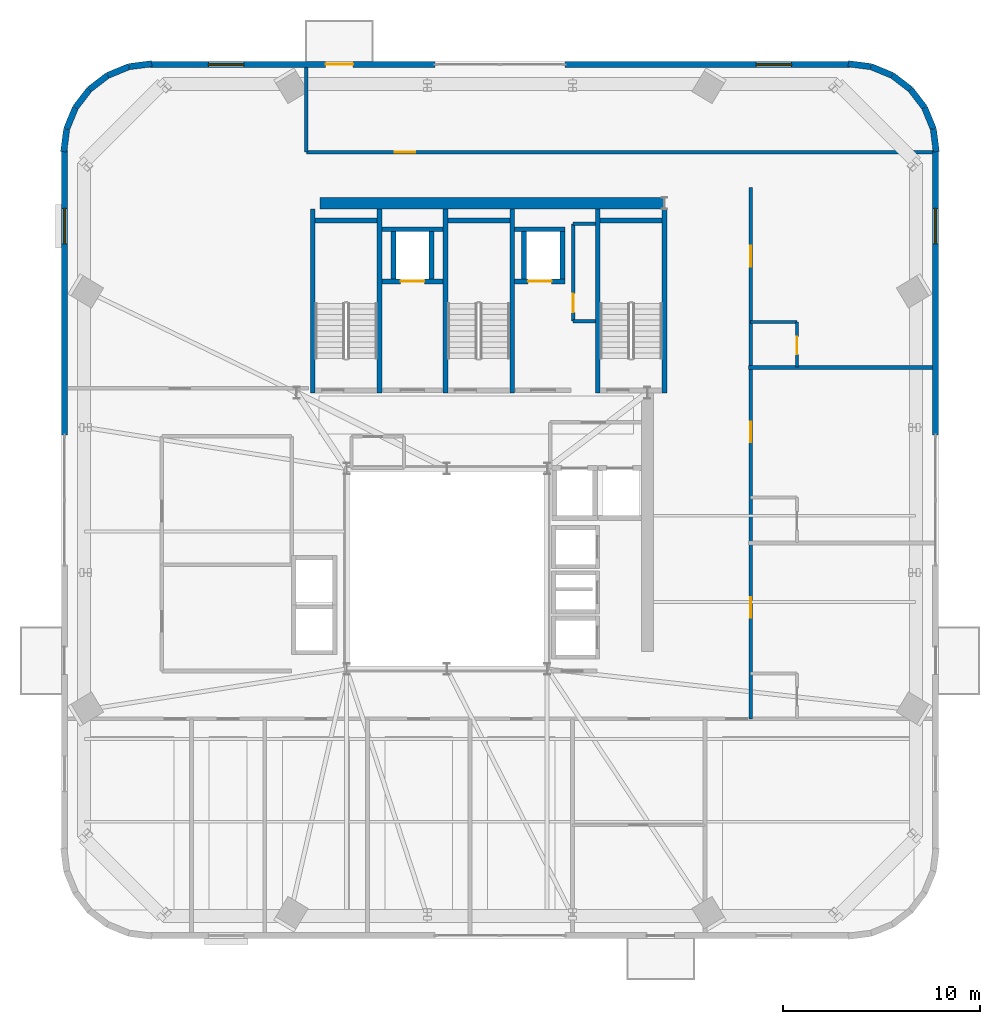
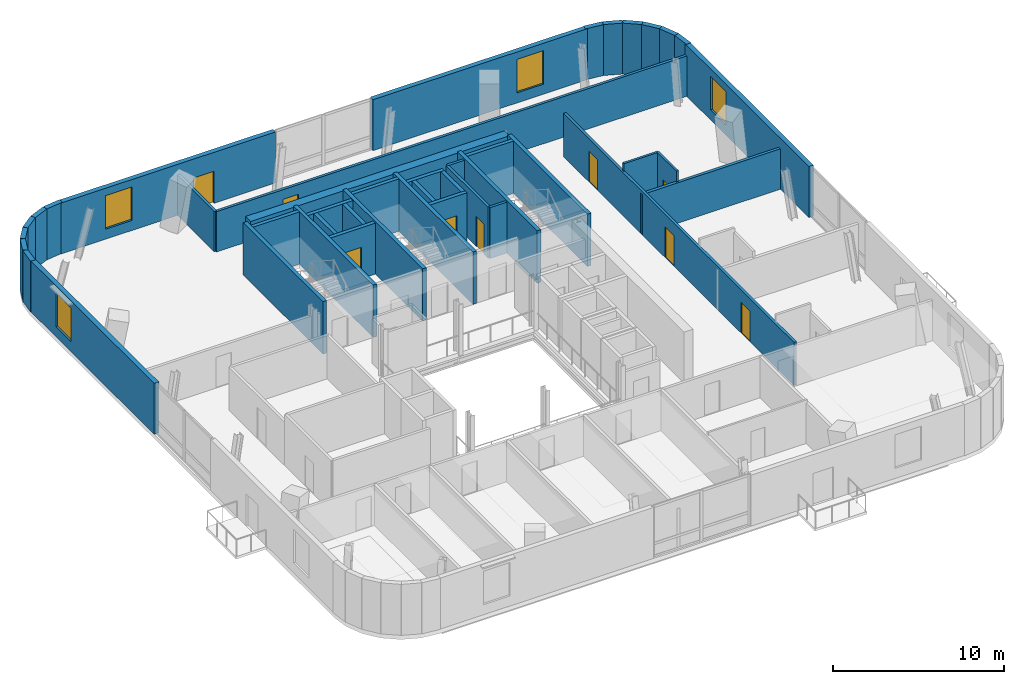
# One storey, part 10 of 15: 43 walls, 9 doors, 4 windows, 13 openings.
"""IFC4 building model written with IfcOpenShell, lengths in metres."""

from ifc_helpers import new_model, si_unit, direction, frame, frame_2d, origin, place, context, subcontext, project, spatial, rectangle, extrude, source, transform, mapped, material, layer, layer_set, type_object, element, fill, save


model = new_model("IFC4")

# Units and contexts
model_context = context("Model", 3, precision=1e-05, world=origin(), true_north=direction((0.0, 1.0)))
body_context = subcontext(model_context, "Body", "Model", "MODEL_VIEW")
ifc_project = project(units=[si_unit("LENGTHUNIT", "METRE"), si_unit("AREAUNIT", "SQUARE_METRE"), si_unit("VOLUMEUNIT", "CUBIC_METRE"), si_unit("PLANEANGLEUNIT", "RADIAN"), si_unit("MASSUNIT", "GRAM", prefix="KILO")], contexts=[model_context])

# Site, building, storey
site_placement = place(None, origin())
site = spatial("IfcSite", under=ifc_project, at=site_placement, CompositionType="ELEMENT")
building_placement = place(site_placement, origin())
building = spatial("IfcBuilding", under=site, at=building_placement, Name="Vardaveli Station Tower", CompositionType="ELEMENT")
storey_placement = place(building_placement, frame((0.0, 0.0, 262.449951171875)))
storey = spatial("IfcBuildingStorey", under=building, at=storey_placement, Name="L67", CompositionType="ELEMENT", Elevation=262.449951171875)

# Wall
ifc_material_1 = material(Name="Concrete C50/60", Category="concrete")
ifc_layer_1 = layer(ifc_material_1, 0.60009765625, Name="Concrete C50/60")
ifc_layer_set_1 = layer_set([ifc_layer_1], Name="Concrete C50/60")
wall_type_1 = type_object("IfcWallType", Name="WAL-CORE-600", PredefinedType="SHEAR", material=ifc_layer_set_1)
shared_shape_1 = source(origin(), body_context, "Body", "SweptSolid", [
    extrude(rectangle(XDim=17.52001953125, YDim=0.60009765625, at=frame_2d((8.760009765625, 0.0))), origin(), (0.0, 0.0, 1.0), 3.650146484375),
])
wall_1_placement = place(storey_placement, frame((29.85009765625, 40.300048828125, 0.0), z_axis=(0.0, 0.0, 1.0), x_axis=(1.0, 0.0, 0.0)))
element("IfcWall", 1, at=wall_1_placement, inside=storey, type_object=wall_type_1, Name="SW-L67-NORTH", PredefinedType="SHEAR", context=body_context, shape_type="MappedRepresentation", body=[
    mapped(shared_shape_1, transform((0.0, 0.0, 0.0), scale=1.0)),
])

# Wall, opening, window
ifc_material_2 = material(Name="Precast concrete C45/55", Category="concrete")
ifc_layer_2 = layer(ifc_material_2, 0.320068359375, Name="Precast concrete C45/55")
ifc_layer_set_2 = layer_set([ifc_layer_2], Name="Precast concrete C45/55")
wall_type_2 = type_object("IfcWallType", Name="WAL-EXT-STONE-320", PredefinedType="SOLIDWALL", material=ifc_layer_set_2)
shared_shape_2 = source(origin(), body_context, "Body", "SweptSolid", [
    extrude(rectangle(XDim=14.52001953125, YDim=0.320068359375, at=frame_2d((7.260009765625, 0.0))), origin(), (0.0, 0.0, 1.0), 3.650146484375),
])
wall_2_placement = place(storey_placement, frame((56.820068359375, 47.360107421875, 0.0), z_axis=(0.0, 0.0, 1.0), x_axis=(-1.0, 0.0, 0.0)))
wall_2 = element("IfcWall", 2, at=wall_2_placement, inside=storey, type_object=wall_type_2, Name="EW-L67-N1", PredefinedType="SOLIDWALL", context=body_context, shape_type="MappedRepresentation", body=[
    mapped(shared_shape_2, transform((0.0, 0.0, 0.0), scale=1.0)),
])
shared_shape_3 = source(origin(), body_context, "Body", "SweptSolid", [
    extrude(rectangle(XDim=1.800048828125, YDim=2.39990234375, at=frame_2d((0.89990234375, 1.199951171875))), frame((0.0, 0.169921875, 0.0), z_axis=(0.0, -1.0, 0.0), x_axis=(1.0, 0.0, 0.0)), (0.0, 0.0, 1.0), 0.340087890625),
])
opening_1_placement = place(wall_2_placement, frame((2.989013671875, 0.0, 0.719970703125)))
opening_1 = element("IfcOpeningElement", 3, at=opening_1_placement, cuts=wall_2, Name="Opening W-05", PredefinedType="OPENING", context=body_context, shape_type="MappedRepresentation", body=[
    mapped(shared_shape_3, transform((0.0, 0.0, 0.0), scale=1.0)),
])
ifc_material_3 = material(Name="Low-E solar-control glass", Category="glass")
window_type = type_object("IfcWindowType", Name="WIN-HIGH-1800x2400", PartitioningType="SINGLE_PANEL", PredefinedType="WINDOW", material=ifc_material_3)
shared_shape_4 = source(origin(), body_context, "Body", "SweptSolid", [
    extrude(rectangle(XDim=1.800048828125, YDim=2.39990234375, at=frame_2d((0.89990234375, 1.199951171875))), frame((0.0, 0.030029296875, 0.0), z_axis=(0.0, -1.0, 0.0), x_axis=(1.0, 0.0, 0.0)), (0.0, 0.0, 1.0), 0.06005859375),
])
window_1_placement = place(opening_1_placement, origin())
window_1 = element("IfcWindow", 4, at=window_1_placement, inside=storey, type_object=window_type, Name="WN-L67-N1", OverallHeight=2.39990234375, OverallWidth=1.800048828125, PartitioningType="SINGLE_PANEL", PredefinedType="WINDOW", context=body_context, shape_type="MappedRepresentation", body=[
    mapped(shared_shape_4, transform((0.0, 0.0, 0.0), scale=1.0)),
])
fill(opening_1, window_1)

# Wall, openings, door, window
wall_3_placement = place(storey_placement, frame((35.699951171875, 47.360107421875, 0.0), z_axis=(0.0, 0.0, 1.0), x_axis=(-1.0, 0.0, 0.0)))
wall_3 = element("IfcWall", 5, at=wall_3_placement, inside=storey, type_object=wall_type_2, Name="EW-L67-N2", PredefinedType="SOLIDWALL", context=body_context, shape_type="MappedRepresentation", body=[
    mapped(shared_shape_2, transform((0.0, 0.0, 0.0), scale=1.0)),
])
shared_shape_5 = source(origin(), body_context, "Body", "SweptSolid", [
    extrude(rectangle(XDim=1.39990234375, YDim=2.300048828125, at=frame_2d((0.699951171875, 1.14990234375))), frame((0.0, 0.169921875, 0.0), z_axis=(0.0, -1.0, 0.0), x_axis=(1.0, 0.0, 0.0)), (0.0, 0.0, 1.0), 0.340087890625),
])
opening_2_placement = place(wall_3_placement, frame((4.1748046875, 0.0, 0.0)))
opening_2 = element("IfcOpeningElement", 6, at=opening_2_placement, cuts=wall_3, Name="Opening D-09", PredefinedType="OPENING", context=body_context, shape_type="MappedRepresentation", body=[
    mapped(shared_shape_5, transform((0.0, 0.0, 0.0), scale=1.0)),
])
opening_3_placement = place(wall_3_placement, frame((9.73095703125, 0.0, 0.719970703125)))
opening_3 = element("IfcOpeningElement", 7, at=opening_3_placement, cuts=wall_3, Name="Opening W-05", PredefinedType="OPENING", context=body_context, shape_type="MappedRepresentation", body=[
    mapped(shared_shape_3, transform((0.0, 0.0, 0.0), scale=1.0)),
])
ifc_material_4 = material(Name="Thermally broken aluminium glass", Category="aluminium")
door_type_1 = type_object("IfcDoorType", Name="DR-LOG-1400x2300", OperationType="DOUBLE_DOOR_SLIDING", PredefinedType="DOOR", material=ifc_material_4)
shared_shape_6 = source(origin(), body_context, "Body", "SweptSolid", [
    extrude(rectangle(XDim=1.39990234375, YDim=2.300048828125, at=frame_2d((0.699951171875, 1.14990234375))), frame((0.0, 0.02490234375, 0.0), z_axis=(0.0, -1.0, 0.0), x_axis=(1.0, 0.0, 0.0)), (0.0, 0.0, 1.0), 0.050048828125),
])
door_1_placement = place(opening_2_placement, frame((1.39990234375, 0.0, 0.0), z_axis=(0.0, 0.0, 1.0), x_axis=(-1.0, 0.0, 0.0)))
door_1 = element("IfcDoor", 8, at=door_1_placement, inside=storey, type_object=door_type_1, Name="DLG-L67-N", OperationType="DOUBLE_DOOR_SLIDING", OverallHeight=2.300048828125, OverallWidth=1.39990234375, PredefinedType="DOOR", context=body_context, shape_type="MappedRepresentation", body=[
    mapped(shared_shape_6, transform((0.0, 0.0, 0.0), scale=1.0)),
])
fill(opening_2, door_1)
window_2_placement = place(opening_3_placement, origin())
window_2 = element("IfcWindow", 9, at=window_2_placement, inside=storey, type_object=window_type, Name="WN-L67-N2", OverallHeight=2.39990234375, OverallWidth=1.800048828125, PartitioningType="SINGLE_PANEL", PredefinedType="WINDOW", context=body_context, shape_type="MappedRepresentation", body=[
    mapped(shared_shape_4, transform((0.0, 0.0, 0.0), scale=1.0)),
])
fill(opening_3, window_2)

# Wall, opening, window
wall_4_placement = place(storey_placement, frame((16.840087890625, 43.02001953125, 0.0), z_axis=(0.0, 0.0, 1.0), x_axis=(0.0, -1.0, 0.0)))
wall_4 = element("IfcWall", 10, at=wall_4_placement, inside=storey, type_object=wall_type_2, Name="EW-L67-W1", PredefinedType="SOLIDWALL", context=body_context, shape_type="MappedRepresentation", body=[
    mapped(shared_shape_2, transform((0.0, 0.0, 0.0), scale=1.0)),
])
opening_4_placement = place(wall_4_placement, frame((2.989013671875, 0.0, 0.719970703125)))
opening_4 = element("IfcOpeningElement", 11, at=opening_4_placement, cuts=wall_4, Name="Opening W-05", PredefinedType="OPENING", context=body_context, shape_type="MappedRepresentation", body=[
    mapped(shared_shape_3, transform((0.0, 0.0, 0.0), scale=1.0)),
])
window_3_placement = place(opening_4_placement, origin())
window_3 = element("IfcWindow", 12, at=window_3_placement, inside=storey, type_object=window_type, Name="WN-L67-W1", OverallHeight=2.39990234375, OverallWidth=1.800048828125, PartitioningType="SINGLE_PANEL", PredefinedType="WINDOW", context=body_context, shape_type="MappedRepresentation", body=[
    mapped(shared_shape_4, transform((0.0, 0.0, 0.0), scale=1.0)),
])
fill(opening_4, window_3)

wall_5_placement = place(storey_placement, frame((61.159912109375, 28.5, 0.0), z_axis=(0.0, 0.0, 1.0), x_axis=(0.0, 1.0, 0.0)))
wall_5 = element("IfcWall", 13, at=wall_5_placement, inside=storey, type_object=wall_type_2, Name="EW-L67-E2", PredefinedType="SOLIDWALL", context=body_context, shape_type="MappedRepresentation", body=[
    mapped(shared_shape_2, transform((0.0, 0.0, 0.0), scale=1.0)),
])
opening_5_placement = place(wall_5_placement, frame((9.73095703125, 0.0, 0.719970703125)))
opening_5 = element("IfcOpeningElement", 14, at=opening_5_placement, cuts=wall_5, Name="Opening W-05", PredefinedType="OPENING", context=body_context, shape_type="MappedRepresentation", body=[
    mapped(shared_shape_3, transform((0.0, 0.0, 0.0), scale=1.0)),
])
window_4_placement = place(opening_5_placement, origin())
window_4 = element("IfcWindow", 15, at=window_4_placement, inside=storey, type_object=window_type, Name="WN-L67-E2", OverallHeight=2.39990234375, OverallWidth=1.800048828125, PartitioningType="SINGLE_PANEL", PredefinedType="WINDOW", context=body_context, shape_type="MappedRepresentation", body=[
    mapped(shared_shape_4, transform((0.0, 0.0, 0.0), scale=1.0)),
])
fill(opening_5, window_4)

# Walls
shared_shape_7 = source(origin(), body_context, "Body", "SweptSolid", [
    extrude(rectangle(XDim=1.169921875, YDim=0.320068359375, at=frame_2d((0.5849609375, 0.0))), origin(), (0.0, 0.0, 1.0), 3.650146484375),
])
for number, where, z_axis, x_axis, name in (
    (16, (61.195068359375, 42.920166015625, 0.0), (0.0, 0.0, 1.0), (-0.128116992181, 0.991759061625, 0.0), "EW-L67-CR3-1"),
    (17, (57.880615234375, 47.2451171875, 0.0), (0.0, 0.0, 1.0), (-0.991759061625, 0.128116992181, 0.0), "EW-L67-CR3-6"),
    (18, (21.27978515625, 47.39501953125, 0.0), (0.0, 0.0, 1.0), (-0.991759061625, -0.128116992181, 0.0), "EW-L67-CR4-1"),
    (19, (16.954833984375, 44.08056640625, 0.0), (0.0, 0.0, 1.0), (-0.128116992181, -0.991759061625, 0.0), "EW-L67-CR4-6"),
):
    element("IfcWall", number, at=place(storey_placement, frame(where, z_axis=z_axis, x_axis=x_axis)), inside=storey, type_object=wall_type_2, Name=name, PredefinedType="SOLIDWALL", context=body_context, shape_type="MappedRepresentation", body=[
        mapped(shared_shape_7, transform((0.0, 0.0, 0.0), scale=1.0)),
    ])
shared_shape_8 = source(origin(), body_context, "Body", "SweptSolid", [
    extrude(rectangle(XDim=1.1689453125, YDim=0.320068359375, at=frame_2d((0.58447265625, 0.0))), origin(), (0.0, 0.0, 1.0), 3.650146484375),
])
for number, where, z_axis, x_axis, name in (
    (20, (61.045166015625, 44.08056640625, 0.0), (0.0, 0.0, 1.0), (-0.381127904695, 0.924522320046, 0.0), "EW-L67-CR3-2"),
    (21, (58.96142578125, 46.799560546875, 0.0), (0.0, 0.0, 1.0), (-0.924522320046, 0.381127904695, 0.0), "EW-L67-CR3-5"),
    (22, (20.119384765625, 47.2451171875, 0.0), (0.0, 0.0, 1.0), (-0.924522320046, -0.381127904695, 0.0), "EW-L67-CR4-2"),
    (23, (17.400390625, 45.161376953125, 0.0), (0.0, 0.0, 1.0), (-0.381127904695, -0.924522320046, 0.0), "EW-L67-CR4-5"),
):
    element("IfcWall", number, at=place(storey_placement, frame(where, z_axis=z_axis, x_axis=x_axis)), inside=storey, type_object=wall_type_2, Name=name, PredefinedType="SOLIDWALL", context=body_context, shape_type="MappedRepresentation", body=[
        mapped(shared_shape_8, transform((0.0, 0.0, 0.0), scale=1.0)),
    ])
shared_shape_9 = source(origin(), body_context, "Body", "SweptSolid", [
    extrude(rectangle(XDim=1.16845703125, YDim=0.320068359375, at=frame_2d((0.584228515625, 0.0))), origin(), (0.0, 0.0, 1.0), 3.650146484375),
])
for number, where, z_axis, x_axis, name in (
    (24, (60.599609375, 45.161376953125, 0.0), (0.0, 0.0, 1.0), (-0.60822536085, 0.79376439226, 0.0), "EW-L67-CR3-3"),
    (25, (59.888916015625, 46.0888671875, 0.0), (0.0, 0.0, 1.0), (-0.79376439226, 0.60822536085, 0.0), "EW-L67-CR3-4"),
    (26, (19.03857421875, 46.799560546875, 0.0), (0.0, 0.0, 1.0), (-0.79376439226, -0.60822536085, 0.0), "EW-L67-CR4-3"),
    (27, (18.111083984375, 46.0888671875, 0.0), (0.0, 0.0, 1.0), (-0.60822536085, -0.79376439226, 0.0), "EW-L67-CR4-4"),
):
    element("IfcWall", number, at=place(storey_placement, frame(where, z_axis=z_axis, x_axis=x_axis)), inside=storey, type_object=wall_type_2, Name=name, PredefinedType="SOLIDWALL", context=body_context, shape_type="MappedRepresentation", body=[
        mapped(shared_shape_9, transform((0.0, 0.0, 0.0), scale=1.0)),
    ])
ifc_material_5 = material(Name="Concrete C40/50", Category="concrete")
ifc_layer_3 = layer(ifc_material_5, 0.25, Name="Concrete C40/50")
ifc_layer_set_3 = layer_set([ifc_layer_3], Name="Concrete C40/50")
wall_type_3 = type_object("IfcWallType", Name="WAL-SHAFT-250", PredefinedType="SOLIDWALL", material=ifc_layer_set_3)
shared_shape_10 = source(origin(), body_context, "Body", "SweptSolid", [
    extrude(rectangle(XDim=9.35009765625, YDim=0.25, at=frame_2d((4.675048828125, 0.0))), origin(), (0.0, 0.0, 1.0), 3.75),
])
for number, where, z_axis, x_axis, name in (
    (28, (29.47509765625, 30.64990234375, 0.0), (0.0, 0.0, 1.0), (0.0, 1.0, 0.0), "W-L67-ST-1W"),
    (29, (32.875, 30.64990234375, 0.0), (0.0, 0.0, 1.0), (0.0, 1.0, 0.0), "W-L67-ST-1E"),
    (30, (36.22509765625, 30.64990234375, 0.0), (0.0, 0.0, 1.0), (0.0, 1.0, 0.0), "W-L67-ST-2W"),
    (31, (39.625, 30.64990234375, 0.0), (0.0, 0.0, 1.0), (0.0, 1.0, 0.0), "W-L67-ST-2E"),
    (32, (43.97509765625, 30.64990234375, 0.0), (0.0, 0.0, 1.0), (0.0, 1.0, 0.0), "W-L67-ST-3W"),
    (33, (47.375, 30.64990234375, 0.0), (0.0, 0.0, 1.0), (0.0, 1.0, 0.0), "W-L67-ST-3E"),
):
    element("IfcWall", number, at=place(storey_placement, frame(where, z_axis=z_axis, x_axis=x_axis)), inside=storey, type_object=wall_type_3, Name=name, PredefinedType="SOLIDWALL", context=body_context, shape_type="MappedRepresentation", body=[
        mapped(shared_shape_10, transform((0.0, 0.0, 0.0), scale=1.0)),
    ])
shared_shape_11 = source(origin(), body_context, "Body", "SweptSolid", [
    extrude(rectangle(XDim=3.14990234375, YDim=0.25, at=frame_2d((1.574951171875, 0.0))), origin(), (0.0, 0.0, 1.0), 3.75),
])
for number, where, z_axis, x_axis, name in (
    (34, (29.60009765625, 39.425048828125, 0.0), (0.0, 0.0, 1.0), (1.0, 0.0, 0.0), "W-L67-ST-1N"),
    (35, (36.35009765625, 39.425048828125, 0.0), (0.0, 0.0, 1.0), (1.0, 0.0, 0.0), "W-L67-ST-2N"),
    (36, (44.10009765625, 39.425048828125, 0.0), (0.0, 0.0, 1.0), (1.0, 0.0, 0.0), "W-L67-ST-3N"),
):
    element("IfcWall", number, at=place(storey_placement, frame(where, z_axis=z_axis, x_axis=x_axis)), inside=storey, type_object=wall_type_3, Name=name, PredefinedType="SOLIDWALL", context=body_context, shape_type="MappedRepresentation", body=[
        mapped(shared_shape_11, transform((0.0, 0.0, 0.0), scale=1.0)),
    ])

# Wall, opening, door
shared_shape_12 = source(origin(), body_context, "Body", "SweptSolid", [
    extrude(rectangle(XDim=3.10009765625, YDim=0.25, at=frame_2d((1.550048828125, 0.0))), origin(), (0.0, 0.0, 1.0), 3.650146484375),
])
wall_6_placement = place(storey_placement, frame((33.0, 36.324951171875, 0.0), z_axis=(0.0, 0.0, 1.0), x_axis=(1.0, 0.0, 0.0)))
wall_6 = element("IfcWall", 37, at=wall_6_placement, inside=storey, type_object=wall_type_3, Name="SHW-FFL-01-L67-S", PredefinedType="SOLIDWALL", context=body_context, shape_type="MappedRepresentation", body=[
    mapped(shared_shape_12, transform((0.0, 0.0, 0.0), scale=1.0)),
])
shared_shape_13 = source(origin(), body_context, "Body", "SweptSolid", [
    extrude(rectangle(XDim=1.199951171875, YDim=2.25, at=frame_2d((0.60009765625, 1.125))), frame((0.0, 0.135009765625, 0.0), z_axis=(0.0, -1.0, 0.0), x_axis=(1.0, 0.0, 0.0)), (0.0, 0.0, 1.0), 0.27001953125),
])
opening_6_placement = place(wall_6_placement, frame((0.949951171875, 0.0, 0.0)))
opening_6 = element("IfcOpeningElement", 38, at=opening_6_placement, cuts=wall_6, Name="Opening LD-02", PredefinedType="OPENING", context=body_context, shape_type="MappedRepresentation", body=[
    mapped(shared_shape_13, transform((0.0, 0.0, 0.0), scale=1.0)),
])
ifc_material_6 = material(Name="Brushed stainless steel", Category="steel")
door_type_2 = type_object("IfcDoorType", Name="DR-LD-1200x2250", OperationType="DOUBLE_DOOR_SLIDING", PredefinedType="DOOR", material=ifc_material_6)
shared_shape_14 = source(origin(), body_context, "Body", "SweptSolid", [
    extrude(rectangle(XDim=1.199951171875, YDim=2.25, at=frame_2d((0.60009765625, 1.125))), frame((0.0, 0.02490234375, 0.0), z_axis=(0.0, -1.0, 0.0), x_axis=(1.0, 0.0, 0.0)), (0.0, 0.0, 1.0), 0.050048828125),
])
door_2_placement = place(opening_6_placement, origin())
door_2 = element("IfcDoor", 39, at=door_2_placement, inside=storey, type_object=door_type_2, Name="LD-FFL-01-L67", OperationType="DOUBLE_DOOR_SLIDING", OverallHeight=2.25, OverallWidth=1.199951171875, PredefinedType="DOOR", context=body_context, shape_type="MappedRepresentation", body=[
    mapped(shared_shape_14, transform((0.0, 0.0, 0.0), scale=1.0)),
])
fill(opening_6, door_2)

# Walls
wall_7_placement = place(storey_placement, frame((33.0, 38.97509765625, 0.0), z_axis=(0.0, 0.0, 1.0), x_axis=(1.0, 0.0, 0.0)))
element("IfcWall", 40, at=wall_7_placement, inside=storey, type_object=wall_type_3, Name="SHW-FFL-01-L67-N", PredefinedType="SOLIDWALL", context=body_context, shape_type="MappedRepresentation", body=[
    mapped(shared_shape_12, transform((0.0, 0.0, 0.0), scale=1.0)),
])
shared_shape_15 = source(origin(), body_context, "Body", "SweptSolid", [
    extrude(rectangle(XDim=2.400146484375, YDim=0.25, at=frame_2d((1.2001953125, 0.0))), origin(), (0.0, 0.0, 1.0), 3.650146484375),
])
for number, where, z_axis, x_axis, name in (
    (41, (33.574951171875, 36.449951171875, 0.0), (0.0, 0.0, 1.0), (0.0, 1.0, 0.0), "SHW-FFL-01-L67-W"),
    (42, (35.52490234375, 36.449951171875, 0.0), (0.0, 0.0, 1.0), (0.0, 1.0, 0.0), "SHW-FFL-01-L67-E"),
    (43, (40.22509765625, 36.449951171875, 0.0), (0.0, 0.0, 1.0), (0.0, 1.0, 0.0), "SHW-FFL-02-L67-W"),
    (44, (42.175048828125, 36.449951171875, 0.0), (0.0, 0.0, 1.0), (0.0, 1.0, 0.0), "SHW-FFL-02-L67-E"),
):
    element("IfcWall", number, at=place(storey_placement, frame(where, z_axis=z_axis, x_axis=x_axis)), inside=storey, type_object=wall_type_3, Name=name, PredefinedType="SOLIDWALL", context=body_context, shape_type="MappedRepresentation", body=[
        mapped(shared_shape_15, transform((0.0, 0.0, 0.0), scale=1.0)),
    ])

# Wall, opening, door
shared_shape_16 = source(origin(), body_context, "Body", "SweptSolid", [
    extrude(rectangle(XDim=2.550048828125, YDim=0.25, at=frame_2d((1.27490234375, 0.0))), origin(), (0.0, 0.0, 1.0), 3.650146484375),
])
wall_8_placement = place(storey_placement, frame((39.75, 36.324951171875, 0.0), z_axis=(0.0, 0.0, 1.0), x_axis=(1.0, 0.0, 0.0)))
wall_8 = element("IfcWall", 45, at=wall_8_placement, inside=storey, type_object=wall_type_3, Name="SHW-FFL-02-L67-S", PredefinedType="SOLIDWALL", context=body_context, shape_type="MappedRepresentation", body=[
    mapped(shared_shape_16, transform((0.0, 0.0, 0.0), scale=1.0)),
])
opening_7_placement = place(wall_8_placement, frame((0.675048828125, 0.0, 0.0)))
opening_7 = element("IfcOpeningElement", 46, at=opening_7_placement, cuts=wall_8, Name="Opening LD-02", PredefinedType="OPENING", context=body_context, shape_type="MappedRepresentation", body=[
    mapped(shared_shape_13, transform((0.0, 0.0, 0.0), scale=1.0)),
])
door_3_placement = place(opening_7_placement, origin())
door_3 = element("IfcDoor", 47, at=door_3_placement, inside=storey, type_object=door_type_2, Name="LD-FFL-02-L67", OperationType="DOUBLE_DOOR_SLIDING", OverallHeight=2.25, OverallWidth=1.199951171875, PredefinedType="DOOR", context=body_context, shape_type="MappedRepresentation", body=[
    mapped(shared_shape_14, transform((0.0, 0.0, 0.0), scale=1.0)),
])
fill(opening_7, door_3)

# Wall
wall_9_placement = place(storey_placement, frame((39.75, 38.97509765625, 0.0), z_axis=(0.0, 0.0, 1.0), x_axis=(1.0, 0.0, 0.0)))
element("IfcWall", 48, at=wall_9_placement, inside=storey, type_object=wall_type_3, Name="SHW-FFL-02-L67-N", PredefinedType="SOLIDWALL", context=body_context, shape_type="MappedRepresentation", body=[
    mapped(shared_shape_16, transform((0.0, 0.0, 0.0), scale=1.0)),
])

# Wall, openings, doors
ifc_material_7 = material(Name="Fire-rated gypsum stud partition")
ifc_layer_4 = layer(ifc_material_7, 0.179931640625, Name="Fire-rated gypsum stud partition")
ifc_layer_set_4 = layer_set([ifc_layer_4], Name="Fire-rated gypsum stud partition")
wall_type_4 = type_object("IfcWallType", Name="WAL-CORR-180", PredefinedType="PARTITIONING", material=ifc_layer_set_4)
shared_shape_17 = source(origin(), body_context, "Body", "SweptSolid", [
    extrude(rectangle(XDim=27.030029296875, YDim=0.179931640625, at=frame_2d((13.51513671875, 0.0))), origin(), (0.0, 0.0, 1.0), 3.092041015625),
])
wall_10_placement = place(storey_placement, frame((51.75, 14.070068359375, 0.0), z_axis=(0.0, 0.0, 1.0), x_axis=(0.0, 1.0, 0.0)))
wall_10 = element("IfcWall", 49, at=wall_10_placement, inside=storey, type_object=wall_type_4, Name="W-L67-CE", PredefinedType="PARTITIONING", context=body_context, shape_type="MappedRepresentation", body=[
    mapped(shared_shape_17, transform((0.0, 0.0, 0.0), scale=1.0)),
])
shared_shape_18 = source(origin(), body_context, "Body", "SweptSolid", [
    extrude(rectangle(XDim=1.050048828125, YDim=2.199951171875, at=frame_2d((0.52490234375, 1.10009765625))), frame((0.0, 0.10009765625, 0.0), z_axis=(0.0, -1.0, 0.0), x_axis=(1.0, 0.0, 0.0)), (0.0, 0.0, 1.0), 0.199951171875),
])
opening_8_placement = place(wall_10_placement, frame((5.13330078125, 0.0, 0.0)))
opening_8 = element("IfcOpeningElement", 50, at=opening_8_placement, cuts=wall_10, Name="Opening D-05", PredefinedType="OPENING", context=body_context, shape_type="MappedRepresentation", body=[
    mapped(shared_shape_18, transform((0.0, 0.0, 0.0), scale=1.0)),
])
opening_9_placement = place(wall_10_placement, frame((14.070068359375, 0.0, 0.0)))
opening_9 = element("IfcOpeningElement", 51, at=opening_9_placement, cuts=wall_10, Name="Opening D-05", PredefinedType="OPENING", context=body_context, shape_type="MappedRepresentation", body=[
    mapped(shared_shape_18, transform((0.0, 0.0, 0.0), scale=1.0)),
])
opening_10_placement = place(wall_10_placement, frame((23.006591796875, 0.0, 0.0)))
opening_10 = element("IfcOpeningElement", 52, at=opening_10_placement, cuts=wall_10, Name="Opening D-05", PredefinedType="OPENING", context=body_context, shape_type="MappedRepresentation", body=[
    mapped(shared_shape_18, transform((0.0, 0.0, 0.0), scale=1.0)),
])
ifc_material_8 = material(Name="Walnut veneer acoustic fire door")
door_type_3 = type_object("IfcDoorType", Name="DR-SUITE-1050x2200", OperationType="NOTDEFINED", PredefinedType="DOOR", material=ifc_material_8)
shared_shape_19 = source(origin(), body_context, "Body", "SweptSolid", [
    extrude(rectangle(XDim=1.050048828125, YDim=2.199951171875, at=frame_2d((0.52490234375, 1.10009765625))), frame((0.0, 0.02490234375, 0.0), z_axis=(0.0, -1.0, 0.0), x_axis=(1.0, 0.0, 0.0)), (0.0, 0.0, 1.0), 0.050048828125),
])
door_4_placement = place(opening_8_placement, origin())
door_4 = element("IfcDoor", 53, at=door_4_placement, inside=storey, type_object=door_type_3, Name="D-L67-GE1", OperationType="SINGLE_SWING_LEFT", OverallHeight=2.199951171875, OverallWidth=1.050048828125, PredefinedType="DOOR", context=body_context, shape_type="MappedRepresentation", body=[
    mapped(shared_shape_19, transform((0.0, 0.0, 0.0), scale=1.0)),
])
fill(opening_8, door_4)
door_5_placement = place(opening_9_placement, origin())
door_5 = element("IfcDoor", 54, at=door_5_placement, inside=storey, type_object=door_type_3, Name="D-L67-GE2", OperationType="SINGLE_SWING_RIGHT", OverallHeight=2.199951171875, OverallWidth=1.050048828125, PredefinedType="DOOR", context=body_context, shape_type="MappedRepresentation", body=[
    mapped(shared_shape_19, transform((0.0, 0.0, 0.0), scale=1.0)),
])
fill(opening_9, door_5)
door_6_placement = place(opening_10_placement, origin())
door_6 = element("IfcDoor", 55, at=door_6_placement, inside=storey, type_object=door_type_3, Name="D-L67-GE3", OperationType="SINGLE_SWING_LEFT", OverallHeight=2.199951171875, OverallWidth=1.050048828125, PredefinedType="DOOR", context=body_context, shape_type="MappedRepresentation", body=[
    mapped(shared_shape_19, transform((0.0, 0.0, 0.0), scale=1.0)),
])
fill(opening_10, door_6)

# Wall, opening, door
shared_shape_20 = source(origin(), body_context, "Body", "SweptSolid", [
    extrude(rectangle(XDim=31.84814453125, YDim=0.179931640625, at=frame_2d((15.924072265625, 0.0))), origin(), (0.0, 0.0, 1.0), 2.89208984375),
])
wall_11_placement = place(storey_placement, frame((29.14990234375, 42.89990234375, 0.0), z_axis=(0.0, 0.0, 1.0), x_axis=(1.0, 0.0, 0.0)))
wall_11 = element("IfcWall", 56, at=wall_11_placement, inside=storey, type_object=wall_type_4, Name="W-L67-NPS", PredefinedType="PARTITIONING", context=body_context, shape_type="MappedRepresentation", body=[
    mapped(shared_shape_20, transform((0.0, 0.0, 0.0), scale=1.0)),
])
opening_11_placement = place(wall_11_placement, frame((4.5, 0.0, 0.0)))
opening_11 = element("IfcOpeningElement", 57, at=opening_11_placement, cuts=wall_11, Name="Opening D-05", PredefinedType="OPENING", context=body_context, shape_type="MappedRepresentation", body=[
    mapped(shared_shape_18, transform((0.0, 0.0, 0.0), scale=1.0)),
])
door_7_placement = place(opening_11_placement, origin())
door_7 = element("IfcDoor", 58, at=door_7_placement, inside=storey, type_object=door_type_3, Name="D-L67-NP1", OperationType="SINGLE_SWING_RIGHT", OverallHeight=2.199951171875, OverallWidth=1.050048828125, PredefinedType="DOOR", context=body_context, shape_type="MappedRepresentation", body=[
    mapped(shared_shape_19, transform((0.0, 0.0, 0.0), scale=1.0)),
])
fill(opening_11, door_7)

shared_shape_21 = source(origin(), body_context, "Body", "SweptSolid", [
    extrude(rectangle(XDim=4.949951171875, YDim=0.179931640625, at=frame_2d((2.47509765625, 0.0))), origin(), (0.0, 0.0, 1.0), 3.650146484375),
])
wall_12_placement = place(storey_placement, frame((42.719970703125, 34.300048828125, 0.0), z_axis=(0.0, 0.0, 1.0), x_axis=(0.0, 1.0, 0.0)))
wall_12 = element("IfcWall", 59, at=wall_12_placement, inside=storey, type_object=wall_type_4, Name="W-L67-CBS1-W", PredefinedType="PARTITIONING", context=body_context, shape_type="MappedRepresentation", body=[
    mapped(shared_shape_21, transform((0.0, 0.0, 0.0), scale=1.0)),
])
shared_shape_22 = source(origin(), body_context, "Body", "SweptSolid", [
    extrude(rectangle(XDim=0.949951171875, YDim=2.14990234375, at=frame_2d((0.47509765625, 1.074951171875))), frame((0.0, 0.10009765625, 0.0), z_axis=(0.0, -1.0, 0.0), x_axis=(1.0, 0.0, 0.0)), (0.0, 0.0, 1.0), 0.199951171875),
])
opening_12_placement = place(wall_12_placement, frame((0.449951171875, 0.0, 0.0)))
opening_12 = element("IfcOpeningElement", 60, at=opening_12_placement, cuts=wall_12, Name="Opening D-06", PredefinedType="OPENING", context=body_context, shape_type="MappedRepresentation", body=[
    mapped(shared_shape_22, transform((0.0, 0.0, 0.0), scale=1.0)),
])
ifc_material_9 = material(Name="Oak veneer acoustic fire door")
door_type_4 = type_object("IfcDoorType", Name="DR-GUEST-950x2150", OperationType="NOTDEFINED", PredefinedType="DOOR", material=ifc_material_9)
shared_shape_23 = source(origin(), body_context, "Body", "SweptSolid", [
    extrude(rectangle(XDim=0.949951171875, YDim=2.14990234375, at=frame_2d((0.47509765625, 1.074951171875))), frame((0.0, 0.02490234375, 0.0), z_axis=(0.0, -1.0, 0.0), x_axis=(1.0, 0.0, 0.0)), (0.0, 0.0, 1.0), 0.050048828125),
])
door_8_placement = place(opening_12_placement, origin())
door_8 = element("IfcDoor", 61, at=door_8_placement, inside=storey, type_object=door_type_4, Name="D-L67-HKP", OperationType="SINGLE_SWING_RIGHT", OverallHeight=2.14990234375, OverallWidth=0.949951171875, PredefinedType="DOOR", context=body_context, shape_type="MappedRepresentation", body=[
    mapped(shared_shape_23, transform((0.0, 0.0, 0.0), scale=1.0)),
])
fill(opening_12, door_8)

ifc_material_10 = material(Name="Moisture-resistant stud partition")
ifc_layer_5 = layer(ifc_material_10, 0.14990234375, Name="Moisture-resistant stud partition")
ifc_layer_set_5 = layer_set([ifc_layer_5], Name="Moisture-resistant stud partition")
wall_type_5 = type_object("IfcWallType", Name="WAL-WET-150", PredefinedType="PARTITIONING", material=ifc_layer_set_5)
shared_shape_24 = source(origin(), body_context, "Body", "SweptSolid", [
    extrude(rectangle(XDim=2.2900390625, YDim=0.14990234375, at=frame_2d((1.14501953125, 0.0))), origin(), (0.0, 0.0, 1.0), 3.650146484375),
])
wall_13_placement = place(storey_placement, frame((54.110107421875, 31.962890625, 0.0), z_axis=(0.0, 0.0, 1.0), x_axis=(0.0, 1.0, 0.0)))
wall_13 = element("IfcWall", 62, at=wall_13_placement, inside=storey, type_object=wall_type_5, Name="W-L67-BE3-E", PredefinedType="PARTITIONING", context=body_context, shape_type="MappedRepresentation", body=[
    mapped(shared_shape_24, transform((0.0, 0.0, 0.0), scale=1.0)),
])
shared_shape_25 = source(origin(), body_context, "Body", "SweptSolid", [
    extrude(rectangle(XDim=0.89990234375, YDim=2.10009765625, at=frame_2d((0.449951171875, 1.050048828125))), frame((0.0, 0.0849609375, 0.0), z_axis=(0.0, -1.0, 0.0), x_axis=(1.0, 0.0, 0.0)), (0.0, 0.0, 1.0), 0.169921875),
])
opening_13_placement = place(wall_13_placement, frame((0.64990234375, 0.0, 0.0)))
opening_13 = element("IfcOpeningElement", 63, at=opening_13_placement, cuts=wall_13, Name="Opening D-08", PredefinedType="OPENING", context=body_context, shape_type="MappedRepresentation", body=[
    mapped(shared_shape_25, transform((0.0, 0.0, 0.0), scale=1.0)),
])
ifc_material_11 = material(Name="Moisture-resistant oak door")
door_type_5 = type_object("IfcDoorType", Name="DR-BATH-900x2100", OperationType="NOTDEFINED", PredefinedType="DOOR", material=ifc_material_11)
shared_shape_26 = source(origin(), body_context, "Body", "SweptSolid", [
    extrude(rectangle(XDim=0.89990234375, YDim=2.10009765625, at=frame_2d((0.449951171875, 1.050048828125))), frame((0.0, 0.02490234375, 0.0), z_axis=(0.0, -1.0, 0.0), x_axis=(1.0, 0.0, 0.0)), (0.0, 0.0, 1.0), 0.050048828125),
])
door_9_placement = place(opening_13_placement, origin())
door_9 = element("IfcDoor", 64, at=door_9_placement, inside=storey, type_object=door_type_5, Name="D-L67-BE3", OperationType="SINGLE_SWING_RIGHT", OverallHeight=2.10009765625, OverallWidth=0.89990234375, PredefinedType="DOOR", context=body_context, shape_type="MappedRepresentation", body=[
    mapped(shared_shape_26, transform((0.0, 0.0, 0.0), scale=1.0)),
])
fill(opening_13, door_9)

# Walls
ifc_material_12 = material(Name="Acoustic twin-stud gypsum partition")
ifc_layer_6 = layer(ifc_material_12, 0.199951171875, Name="Acoustic twin-stud gypsum partition")
ifc_layer_set_6 = layer_set([ifc_layer_6], Name="Acoustic twin-stud gypsum partition")
wall_type_6 = type_object("IfcWallType", Name="WAL-PARTY-200", PredefinedType="PARTITIONING", material=ifc_layer_set_6)
shared_shape_27 = source(origin(), body_context, "Body", "SweptSolid", [
    extrude(rectangle(XDim=9.34814453125, YDim=0.199951171875, at=frame_2d((4.674072265625, 0.0))), origin(), (0.0, 0.0, 1.0), 2.89208984375),
])
wall_14_placement = place(storey_placement, frame((51.64990234375, 31.943115234375, 0.0), z_axis=(0.0, 0.0, 1.0), x_axis=(1.0, 0.0, 0.0)))
element("IfcWall", 65, at=wall_14_placement, inside=storey, type_object=wall_type_6, Name="W-L67-PE2", PredefinedType="PARTITIONING", context=body_context, shape_type="MappedRepresentation", body=[
    mapped(shared_shape_27, transform((0.0, 0.0, 0.0), scale=1.0)),
])
shared_shape_28 = source(origin(), body_context, "Body", "SweptSolid", [
    extrude(rectangle(XDim=4.298095703125, YDim=0.179931640625, at=frame_2d((2.14892578125, 0.0))), origin(), (0.0, 0.0, 1.0), 2.89208984375),
])
wall_15_placement = place(storey_placement, frame((29.14990234375, 42.89990234375, 0.0), z_axis=(0.0, 0.0, 1.0), x_axis=(0.0, 1.0, 0.0)))
element("IfcWall", 66, at=wall_15_placement, inside=storey, type_object=wall_type_4, Name="W-L67-NPW", PredefinedType="PARTITIONING", context=body_context, shape_type="MappedRepresentation", body=[
    mapped(shared_shape_28, transform((0.0, 0.0, 0.0), scale=1.0)),
])
shared_shape_29 = source(origin(), body_context, "Body", "SweptSolid", [
    extrude(rectangle(XDim=2.360107421875, YDim=0.14990234375, at=frame_2d((1.18017578125, 0.0))), origin(), (0.0, 0.0, 1.0), 3.650146484375),
])
wall_16_placement = place(storey_placement, frame((51.75, 34.2529296875, 0.0), z_axis=(0.0, 0.0, 1.0), x_axis=(1.0, 0.0, 0.0)))
element("IfcWall", 67, at=wall_16_placement, inside=storey, type_object=wall_type_5, Name="W-L67-BE3-N", PredefinedType="PARTITIONING", context=body_context, shape_type="MappedRepresentation", body=[
    mapped(shared_shape_29, transform((0.0, 0.0, 0.0), scale=1.0)),
])
shared_shape_30 = source(origin(), body_context, "Body", "SweptSolid", [
    extrude(rectangle(XDim=1.1279296875, YDim=0.179931640625, at=frame_2d((0.56396484375, 0.0))), origin(), (0.0, 0.0, 1.0), 3.650146484375),
])
for number, where, z_axis, x_axis, name in (
    (68, (42.719970703125, 34.300048828125, 0.0), (0.0, 0.0, 1.0), (1.0, 0.0, 0.0), "W-L67-CBS1-S"),
    (69, (42.719970703125, 39.25, 0.0), (0.0, 0.0, 1.0), (1.0, 0.0, 0.0), "W-L67-CBS1-N"),
):
    element("IfcWall", number, at=place(storey_placement, frame(where, z_axis=z_axis, x_axis=x_axis)), inside=storey, type_object=wall_type_4, Name=name, PredefinedType="PARTITIONING", context=body_context, shape_type="MappedRepresentation", body=[
        mapped(shared_shape_30, transform((0.0, 0.0, 0.0), scale=1.0)),
    ])

save(model, "model.ifc")
